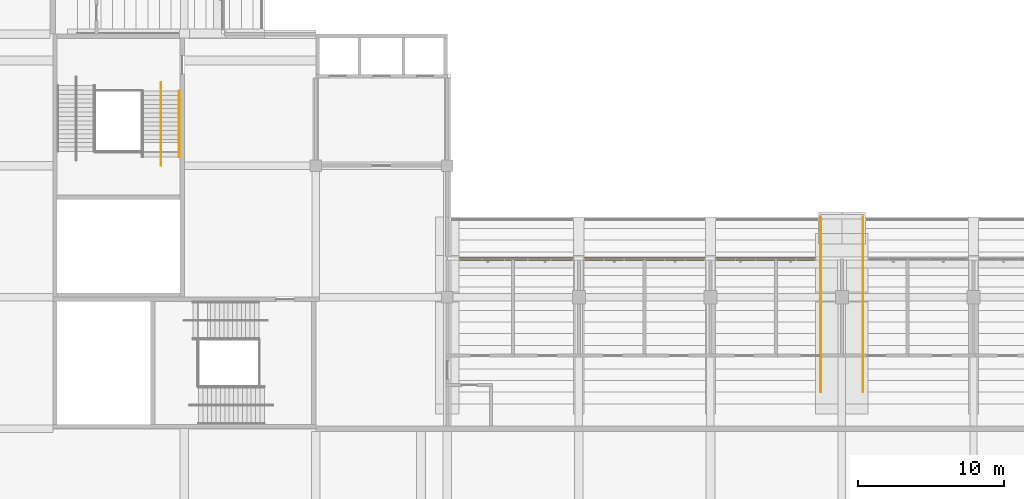
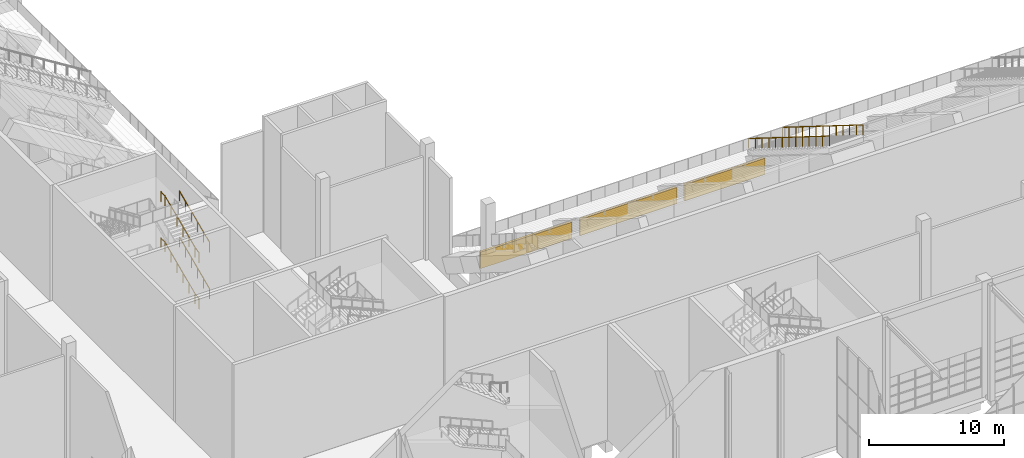
# One storey, part 145 of 182: 6 railings, 3 coverings.
"""IFC4 building model written with IfcOpenShell, lengths in metres."""

from ifc_helpers import new_model, si_unit, direction, frame, origin, origin_2d, place, context, subcontext, project, spatial, polyline, circle, outline, extrude, material, layer, layer_set, type_object, element, save


model = new_model("IFC4")

# Units and contexts
model_context = context("Model", 3, precision=1e-05, world=origin(), true_north=direction((0.0, 1.0)))
body_context = subcontext(model_context, "Body", "Model", "MODEL_VIEW")
ifc_project = project(units=[si_unit("LENGTHUNIT", "METRE"), si_unit("AREAUNIT", "SQUARE_METRE"), si_unit("VOLUMEUNIT", "CUBIC_METRE"), si_unit("PLANEANGLEUNIT", "RADIAN"), si_unit("MASSUNIT", "GRAM", prefix="KILO")], contexts=[model_context])

# Site, building, storey
site_placement = place(None, origin())
site = spatial("IfcSite", under=ifc_project, at=site_placement, CompositionType="ELEMENT")
building_placement = place(site_placement, origin())
building = spatial("IfcBuilding", under=site, at=building_placement, Name="Silverbay Arena", CompositionType="ELEMENT")
storey_placement = place(building_placement, frame((0.0, 0.0, 11.5)))
storey = spatial("IfcBuildingStorey", under=building, at=storey_placement, Name="L02", CompositionType="ELEMENT", Elevation=11.5)

# Railings
ifc_material_1 = material(Name="Stainless steel", Category="steel")
railing_type = type_object("IfcRailingType", Name="Stair handrail 900", PredefinedType="HANDRAIL", material=ifc_material_1)
railing_1_placement = place(storey_placement, frame((80.64990234375, 54.60009765625, 2.231201171875)))
element("IfcRailing", 1, at=railing_1_placement, inside=storey, type_object=railing_type, Name="Stair ST-SW2 L02 to L03 flight 2 handrail left", PredefinedType="HANDRAIL", context=body_context, shape_type="SweptSolid", body=[
    extrude(circle(Radius=0.02392578125, at=origin_2d()), frame((0.0, 0.0, 0.8759765625), z_axis=(0.0, 0.916157334902, 0.40081883402), x_axis=(-1.0, 0.0, 0.0)), (0.0, 0.0, 1.0), 4.911865234375),
    extrude(circle(Radius=0.02099609375, at=origin_2d()), origin(), (0.0, 0.0, 1.0), 0.851806640625),
    extrude(circle(Radius=0.02099609375, at=origin_2d()), frame((0.0, 0.89990234375, 0.393798828125)), (0.0, 0.0, 1.0), 0.851806640625),
    extrude(circle(Radius=0.02099609375, at=origin_2d()), frame((0.0, 1.800048828125, 0.78759765625)), (0.0, 0.0, 1.0), 0.851806640625),
    extrude(circle(Radius=0.02099609375, at=origin_2d()), frame((0.0, 2.699951171875, 1.18115234375)), (0.0, 0.0, 1.0), 0.851806640625),
    extrude(circle(Radius=0.02099609375, at=origin_2d()), frame((0.0, 3.60009765625, 1.574951171875)), (0.0, 0.0, 1.0), 0.851806640625),
    extrude(circle(Radius=0.02099609375, at=origin_2d()), frame((0.0, 4.5, 1.96875)), (0.0, 0.0, 1.0), 0.851806640625),
])
railing_2_placement = place(storey_placement, frame((79.39990234375, 54.0, 2.10009765625)))
element("IfcRailing", 2, at=railing_2_placement, inside=storey, type_object=railing_type, Name="Stair ST-SW2 L02 to L03 flight 2 central handrail", PredefinedType="HANDRAIL", context=body_context, shape_type="SweptSolid", body=[
    extrude(circle(Radius=0.02392578125, at=origin_2d()), frame((0.0, 0.0, 0.8759765625), z_axis=(0.0, 0.976957027196, 0.213436095852), x_axis=(-1.0, 0.0, 0.0)), (0.0, 0.0, 1.0), 0.6142578125),
    extrude(circle(Radius=0.02392578125, at=origin_2d()), frame((0.0, 0.60009765625, 1.0068359375), z_axis=(0.0, 0.916157334902, 0.40081883402), x_axis=(-1.0, 0.0, 0.0)), (0.0, 0.0, 1.0), 4.911865234375),
    extrude(circle(Radius=0.02392578125, at=origin_2d()), frame((0.0, 5.10009765625, 2.9755859375), z_axis=(0.0, 1.0, 0.0), x_axis=(-1.0, 0.0, 0.0)), (0.0, 0.0, 1.0), 0.599853515625),
    extrude(circle(Radius=0.02099609375, at=origin_2d()), origin(), (0.0, 0.0, 1.0), 0.851806640625),
    extrude(circle(Radius=0.02099609375, at=origin_2d()), frame((0.0, 0.60009765625, 0.131103515625)), (0.0, 0.0, 1.0), 0.851806640625),
    extrude(circle(Radius=0.02099609375, at=origin_2d()), frame((0.0, 1.5, 0.52490234375)), (0.0, 0.0, 1.0), 0.851806640625),
    extrude(circle(Radius=0.02099609375, at=origin_2d()), frame((0.0, 2.400146484375, 0.918701171875)), (0.0, 0.0, 1.0), 0.851806640625),
    extrude(circle(Radius=0.02099609375, at=origin_2d()), frame((0.0, 3.300048828125, 1.312255859375)), (0.0, 0.0, 1.0), 0.851806640625),
    extrude(circle(Radius=0.02099609375, at=origin_2d()), frame((0.0, 4.2001953125, 1.7060546875)), (0.0, 0.0, 1.0), 0.851806640625),
    extrude(circle(Radius=0.02099609375, at=origin_2d()), frame((0.0, 5.10009765625, 2.099853515625)), (0.0, 0.0, 1.0), 0.851806640625),
    extrude(circle(Radius=0.02099609375, at=origin_2d()), frame((0.0, 5.699951171875, 2.099853515625)), (0.0, 0.0, 1.0), 0.851806640625),
])
railing_3_placement = place(storey_placement, frame((80.64990234375, 54.60009765625, 6.43115234375)))
element("IfcRailing", 3, at=railing_3_placement, inside=storey, type_object=railing_type, Name="Stair ST-SW2 L02 to L03 flight 4 handrail left", PredefinedType="HANDRAIL", context=body_context, shape_type="SweptSolid", body=[
    extrude(circle(Radius=0.02392578125, at=origin_2d()), frame((0.0, 0.0, 0.8759765625), z_axis=(0.0, 0.916157334902, 0.40081883402), x_axis=(-1.0, 0.0, 0.0)), (0.0, 0.0, 1.0), 4.911865234375),
    extrude(circle(Radius=0.02099609375, at=origin_2d()), origin(), (0.0, 0.0, 1.0), 0.851806640625),
    extrude(circle(Radius=0.02099609375, at=origin_2d()), frame((0.0, 0.89990234375, 0.393798828125)), (0.0, 0.0, 1.0), 0.851806640625),
    extrude(circle(Radius=0.02099609375, at=origin_2d()), frame((0.0, 1.800048828125, 0.78759765625)), (0.0, 0.0, 1.0), 0.851806640625),
    extrude(circle(Radius=0.02099609375, at=origin_2d()), frame((0.0, 2.699951171875, 1.18115234375)), (0.0, 0.0, 1.0), 0.851806640625),
    extrude(circle(Radius=0.02099609375, at=origin_2d()), frame((0.0, 3.60009765625, 1.574951171875)), (0.0, 0.0, 1.0), 0.851806640625),
    extrude(circle(Radius=0.02099609375, at=origin_2d()), frame((0.0, 4.5, 1.96875)), (0.0, 0.0, 1.0), 0.851806640625),
])
railing_4_placement = place(storey_placement, frame((79.39990234375, 54.0, 6.300048828125)))
element("IfcRailing", 4, at=railing_4_placement, inside=storey, type_object=railing_type, Name="Stair ST-SW2 L02 to L03 flight 4 central handrail", PredefinedType="HANDRAIL", context=body_context, shape_type="SweptSolid", body=[
    extrude(circle(Radius=0.02392578125, at=origin_2d()), frame((0.0, 0.0, 0.8759765625), z_axis=(0.0, 0.976957027196, 0.213436095852), x_axis=(-1.0, 0.0, 0.0)), (0.0, 0.0, 1.0), 0.6142578125),
    extrude(circle(Radius=0.02392578125, at=origin_2d()), frame((0.0, 0.60009765625, 1.0068359375), z_axis=(0.0, 0.916157334902, 0.40081883402), x_axis=(-1.0, 0.0, 0.0)), (0.0, 0.0, 1.0), 4.911865234375),
    extrude(circle(Radius=0.02392578125, at=origin_2d()), frame((0.0, 5.10009765625, 2.9755859375), z_axis=(0.0, 1.0, 0.0), x_axis=(-1.0, 0.0, 0.0)), (0.0, 0.0, 1.0), 0.599853515625),
    extrude(circle(Radius=0.02099609375, at=origin_2d()), origin(), (0.0, 0.0, 1.0), 0.851806640625),
    extrude(circle(Radius=0.02099609375, at=origin_2d()), frame((0.0, 0.60009765625, 0.131103515625)), (0.0, 0.0, 1.0), 0.851806640625),
    extrude(circle(Radius=0.02099609375, at=origin_2d()), frame((0.0, 1.5, 0.52490234375)), (0.0, 0.0, 1.0), 0.851806640625),
    extrude(circle(Radius=0.02099609375, at=origin_2d()), frame((0.0, 2.400146484375, 0.918701171875)), (0.0, 0.0, 1.0), 0.851806640625),
    extrude(circle(Radius=0.02099609375, at=origin_2d()), frame((0.0, 3.300048828125, 1.312255859375)), (0.0, 0.0, 1.0), 0.851806640625),
    extrude(circle(Radius=0.02099609375, at=origin_2d()), frame((0.0, 4.2001953125, 1.7060546875)), (0.0, 0.0, 1.0), 0.851806640625),
    extrude(circle(Radius=0.02099609375, at=origin_2d()), frame((0.0, 5.10009765625, 2.099853515625)), (0.0, 0.0, 1.0), 0.851806640625),
    extrude(circle(Radius=0.02099609375, at=origin_2d()), frame((0.0, 5.699951171875, 2.099853515625)), (0.0, 0.0, 1.0), 0.851806640625),
])
for number, where, name in (
    (5, (124.550048828125, 50.5, 3.0), "Vomitory stair V03 handrail left"),
    (6, (127.449951171875, 50.5, 3.0), "Vomitory stair V03 handrail right"),
):
    element("IfcRailing", number, at=place(storey_placement, frame(where)), inside=storey, type_object=railing_type, Name=name, PredefinedType="HANDRAIL", context=body_context, shape_type="SweptSolid", body=[
        extrude(circle(Radius=0.02392578125, at=origin_2d()), frame((0.0, 0.0, 0.8759765625), z_axis=(0.0, -0.847998304005, 0.529998940003), x_axis=(1.0, 0.0, 0.0)), (0.0, 0.0, 1.0), 14.15087890625),
        extrude(circle(Radius=0.02099609375, at=origin_2d()), origin(), (0.0, 0.0, 1.0), 0.851806640625),
        extrude(circle(Radius=0.02099609375, at=origin_2d()), frame((0.0, -1.0, 0.625)), (0.0, 0.0, 1.0), 0.851806640625),
        extrude(circle(Radius=0.02099609375, at=origin_2d()), frame((0.0, -2.0, 1.25)), (0.0, 0.0, 1.0), 0.851806640625),
        extrude(circle(Radius=0.02099609375, at=origin_2d()), frame((0.0, -3.0, 1.875)), (0.0, 0.0, 1.0), 0.851806640625),
        extrude(circle(Radius=0.02099609375, at=origin_2d()), frame((0.0, -4.0, 2.5)), (0.0, 0.0, 1.0), 0.851806640625),
        extrude(circle(Radius=0.02099609375, at=origin_2d()), frame((0.0, -5.0, 3.125)), (0.0, 0.0, 1.0), 0.851806640625),
        extrude(circle(Radius=0.02099609375, at=origin_2d()), frame((0.0, -6.0, 3.75)), (0.0, 0.0, 1.0), 0.851806640625),
        extrude(circle(Radius=0.02099609375, at=origin_2d()), frame((0.0, -7.0, 4.375)), (0.0, 0.0, 1.0), 0.851806640625),
        extrude(circle(Radius=0.02099609375, at=origin_2d()), frame((0.0, -8.0, 5.0)), (0.0, 0.0, 1.0), 0.851806640625),
        extrude(circle(Radius=0.02099609375, at=origin_2d()), frame((0.0, -9.0, 5.625)), (0.0, 0.0, 1.0), 0.851806640625),
        extrude(circle(Radius=0.02099609375, at=origin_2d()), frame((0.0, -10.0, 6.25)), (0.0, 0.0, 1.0), 0.851806640625),
        extrude(circle(Radius=0.02099609375, at=origin_2d()), frame((0.0, -11.0, 6.875)), (0.0, 0.0, 1.0), 0.851806640625),
        extrude(circle(Radius=0.02099609375, at=origin_2d()), frame((0.0, -12.0, 7.5)), (0.0, 0.0, 1.0), 0.851806640625),
    ])

# Coverings
ifc_material_2 = material(Name="Aluminium composite cladding", Category="aluminium")
ifc_layer = layer(ifc_material_2, 0.199951171875)
ifc_layer_set = layer_set([ifc_layer], Name="Aluminium composite cladding")
covering_type = type_object("IfcCoveringType", Name="Suite front fascia cladding 200", PredefinedType="CLADDING", material=ifc_layer_set)
covering_1_placement = place(storey_placement, frame((0.0, 0.0, 2.537109375)))
element("IfcCovering", 7, at=covering_1_placement, inside=storey, type_object=covering_type, Name="South suite front fascia 1", PredefinedType="CLADDING", context=body_context, shape_type="SweptSolid", body=[
    extrude(outline(polyline([(99.800048828125, 47.699951171875), (107.64990234375, 47.699951171875), (107.64990234375, 47.5), (99.800048828125, 47.5), (99.800048828125, 47.699951171875)])), origin(), (0.0, 0.0, 1.0), 1.496826171875),
])
covering_2_placement = place(storey_placement, frame((0.0, 0.0, 2.537109375)))
element("IfcCovering", 8, at=covering_2_placement, inside=storey, type_object=covering_type, Name="South suite front fascia 2", PredefinedType="CLADDING", context=body_context, shape_type="SweptSolid", body=[
    extrude(outline(polyline([(108.35009765625, 47.699951171875), (116.64990234375, 47.699951171875), (116.64990234375, 47.5), (108.35009765625, 47.5), (108.35009765625, 47.699951171875)])), origin(), (0.0, 0.0, 1.0), 1.496826171875),
])
covering_3_placement = place(storey_placement, frame((0.0, 0.0, 2.537109375)))
element("IfcCovering", 9, at=covering_3_placement, inside=storey, type_object=covering_type, Name="South suite front fascia 3", PredefinedType="CLADDING", context=body_context, shape_type="SweptSolid", body=[
    extrude(outline(polyline([(117.35009765625, 47.699951171875), (124.199951171875, 47.699951171875), (124.199951171875, 47.5), (117.35009765625, 47.5), (117.35009765625, 47.699951171875)])), origin(), (0.0, 0.0, 1.0), 1.496826171875),
])

save(model, "model.ifc")
